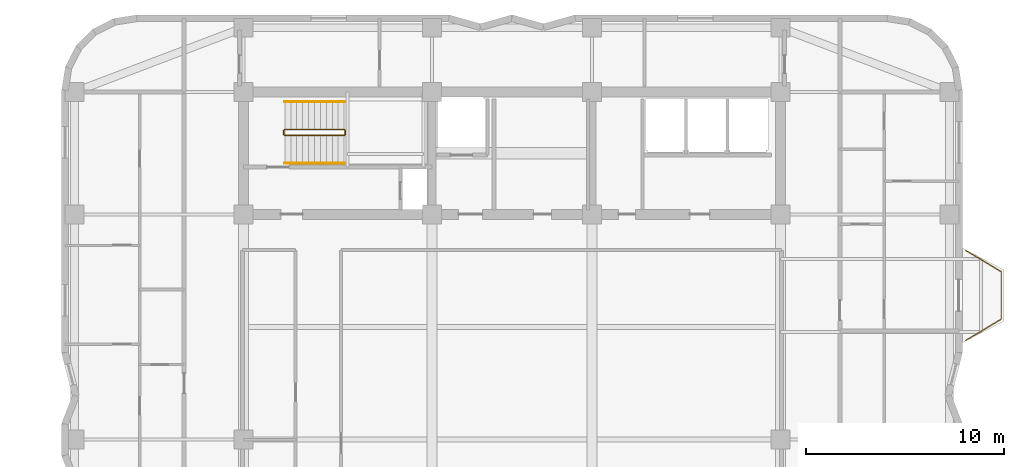
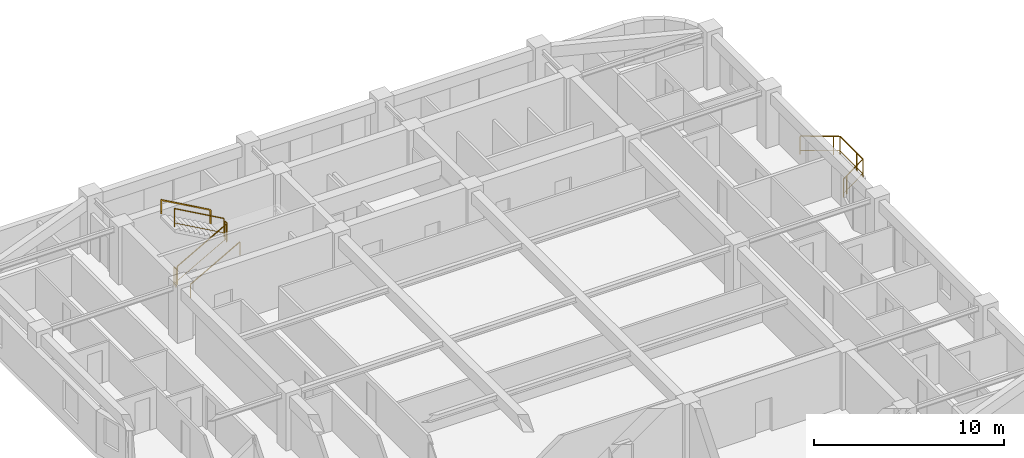
# One storey, part 8 of 8: 7 railings.
"""IFC4 building model written with IfcOpenShell, lengths in metres."""

from ifc_helpers import new_model, si_unit, direction, frame, origin, origin_2d, place, context, subcontext, project, spatial, rectangle, extrude, material, type_object, element, save


model = new_model("IFC4")

# Units and contexts
model_context = context("Model", 3, precision=1e-05, world=origin(), true_north=direction((0.0, 1.0)))
body_context = subcontext(model_context, "Body", "Model", "MODEL_VIEW")
ifc_project = project(units=[si_unit("LENGTHUNIT", "METRE"), si_unit("AREAUNIT", "SQUARE_METRE"), si_unit("VOLUMEUNIT", "CUBIC_METRE"), si_unit("PLANEANGLEUNIT", "RADIAN"), si_unit("MASSUNIT", "GRAM", prefix="KILO")], contexts=[model_context])

# Site, building, storey
site_placement = place(None, origin())
site = spatial("IfcSite", under=ifc_project, at=site_placement, CompositionType="ELEMENT")
building_placement = place(site_placement, origin())
building = spatial("IfcBuilding", under=site, at=building_placement, Name="Svetorya Sky Lyceum", CompositionType="ELEMENT")
storey_placement = place(building_placement, frame((0.0, 0.0, 151.5)))
storey = spatial("IfcBuildingStorey", under=building, at=storey_placement, Name="L37", CompositionType="ELEMENT", Elevation=151.5)

# Railings
ifc_material_1 = material(Name="Laminated safety glass and stainless AISI 316", Category="glass")
railing_type_1 = type_object("IfcRailingType", Name="RL-BAL-1200", PredefinedType="BALUSTRADE", material=ifc_material_1)
railing_1_placement = place(storey_placement, frame((62.169921875, 37.780029296875, 0.0)))
element("IfcRailing", 1, at=railing_1_placement, inside=storey, type_object=railing_type_1, Name="L37 Balcony Balustrade BAL-E1", PredefinedType="BALUSTRADE", context=body_context, shape_type="SweptSolid", body=[
    extrude(rectangle(XDim=0.048095703125, YDim=0.048095703125, at=origin_2d()), frame((0.0, 0.0, 1.17578125), z_axis=(0.857482663744, -0.514512858321, 0.0), x_axis=(0.514512858321, 0.857482663744, 0.0)), (0.0, 0.0, 1.0), 2.09912109375),
    extrude(rectangle(XDim=0.02392578125, YDim=0.02392578125, at=origin_2d()), frame((0.0, 0.0, 0.25), z_axis=(0.857482663744, -0.514512858321, 0.0), x_axis=(0.514512858321, 0.857482663744, 0.0)), (0.0, 0.0, 1.0), 2.09912109375),
    extrude(rectangle(XDim=0.048095703125, YDim=0.048095703125, at=origin_2d()), frame((1.800048828125, -1.080078125, 1.17578125), z_axis=(0.0, -1.0, 0.0), x_axis=(1.0, 0.0, 0.0)), (0.0, 0.0, 1.0), 2.39990234375),
    extrude(rectangle(XDim=0.02392578125, YDim=0.02392578125, at=origin_2d()), frame((1.800048828125, -1.080078125, 0.25), z_axis=(0.0, -1.0, 0.0), x_axis=(1.0, 0.0, 0.0)), (0.0, 0.0, 1.0), 2.39990234375),
    extrude(rectangle(XDim=0.048095703125, YDim=0.048095703125, at=origin_2d()), frame((1.800048828125, -3.47998046875, 1.17578125), z_axis=(-0.857482663744, -0.514512858321, 0.0), x_axis=(0.514512858321, -0.857482663744, 0.0)), (0.0, 0.0, 1.0), 2.09912109375),
    extrude(rectangle(XDim=0.02392578125, YDim=0.02392578125, at=origin_2d()), frame((1.800048828125, -3.47998046875, 0.25), z_axis=(-0.857482663744, -0.514512858321, 0.0), x_axis=(0.514512858321, -0.857482663744, 0.0)), (0.0, 0.0, 1.0), 2.09912109375),
    extrude(rectangle(XDim=0.0419921875, YDim=0.0419921875, at=origin_2d()), origin(), (0.0, 0.0, 1.0), 1.15185546875),
    extrude(rectangle(XDim=0.0419921875, YDim=0.0419921875, at=origin_2d()), frame((1.50048828125, -0.900390625, 0.0)), (0.0, 0.0, 1.0), 1.15185546875),
    extrude(rectangle(XDim=0.0419921875, YDim=0.0419921875, at=origin_2d()), frame((1.800048828125, -1.080078125, 0.0)), (0.0, 0.0, 1.0), 1.15185546875),
    extrude(rectangle(XDim=0.0419921875, YDim=0.0419921875, at=origin_2d()), frame((1.800048828125, -2.830078125, 0.0)), (0.0, 0.0, 1.0), 1.15185546875),
    extrude(rectangle(XDim=0.0419921875, YDim=0.0419921875, at=origin_2d()), frame((1.800048828125, -3.47998046875, 0.0)), (0.0, 0.0, 1.0), 1.15185546875),
    extrude(rectangle(XDim=0.0419921875, YDim=0.0419921875, at=origin_2d()), frame((0.299560546875, -4.38037109375, 0.0)), (0.0, 0.0, 1.0), 1.15185546875),
    extrude(rectangle(XDim=0.0419921875, YDim=0.0419921875, at=origin_2d()), frame((0.0, -4.56005859375, 0.0)), (0.0, 0.0, 1.0), 1.15185546875),
])
ifc_material_2 = material(Name="Painted galvanized stair well guard")
railing_type_2 = type_object("IfcRailingType", Name="RL-STR-GUARD-1200", PredefinedType="GUARDRAIL", material=ifc_material_2)
railing_2_placement = place(storey_placement, frame((27.699951171875, 43.60009765625, 0.168212890625)))
element("IfcRailing", 2, at=railing_2_placement, inside=storey, type_object=railing_type_2, Name="L37 ST-N stair guard 1", PredefinedType="GUARDRAIL", context=body_context, shape_type="SweptSolid", body=[
    extrude(rectangle(XDim=0.048095703125, YDim=0.048095703125, at=origin_2d()), frame((0.0, 0.0, 1.17578125), z_axis=(0.872272294576, 0.0, 0.489020494575), x_axis=(0.0, 1.0, 0.0)), (0.0, 0.0, 1.0), 3.439208984375),
    extrude(rectangle(XDim=0.02392578125, YDim=0.02392578125, at=origin_2d()), frame((0.0, 0.0, 0.25), z_axis=(0.872272294576, 0.0, 0.489020494575), x_axis=(0.0, 1.0, 0.0)), (0.0, 0.0, 1.0), 3.439208984375),
    extrude(rectangle(XDim=0.0419921875, YDim=0.0419921875, at=origin_2d()), origin(), (0.0, 0.0, 1.0), 1.15185546875),
    extrude(rectangle(XDim=0.0419921875, YDim=0.0419921875, at=origin_2d()), frame((3.0, 0.0, 1.681884765625)), (0.0, 0.0, 1.0), 1.15185546875),
])
railing_3_placement = place(storey_placement, frame((30.75, 43.64990234375, 1.85009765625)))
element("IfcRailing", 3, at=railing_3_placement, inside=storey, type_object=railing_type_2, Name="L37 ST-N stair guard 2", PredefinedType="GUARDRAIL", context=body_context, shape_type="SweptSolid", body=[
    extrude(rectangle(XDim=0.048095703125, YDim=0.048095703125, at=origin_2d()), frame((0.0, 0.0, 1.17578125), z_axis=(0.0, 1.0, 0.0), x_axis=(-1.0, 0.0, 0.0)), (0.0, 0.0, 1.0), 0.2001953125),
    extrude(rectangle(XDim=0.02392578125, YDim=0.02392578125, at=origin_2d()), frame((0.0, 0.0, 0.25), z_axis=(0.0, 1.0, 0.0), x_axis=(-1.0, 0.0, 0.0)), (0.0, 0.0, 1.0), 0.2001953125),
    extrude(rectangle(XDim=0.0419921875, YDim=0.0419921875, at=origin_2d()), origin(), (0.0, 0.0, 1.0), 1.15185546875),
    extrude(rectangle(XDim=0.0419921875, YDim=0.0419921875, at=origin_2d()), frame((0.0, 0.2001953125, 0.0)), (0.0, 0.0, 1.0), 1.15185546875),
])
railing_4_placement = place(storey_placement, frame((30.699951171875, 43.89990234375, 2.01806640625)))
element("IfcRailing", 4, at=railing_4_placement, inside=storey, type_object=railing_type_2, Name="L37 ST-N stair guard 3", PredefinedType="GUARDRAIL", context=body_context, shape_type="SweptSolid", body=[
    extrude(rectangle(XDim=0.048095703125, YDim=0.048095703125, at=origin_2d()), frame((0.0, 0.0, 1.17578125), z_axis=(-0.872272294576, 0.0, 0.489020494575), x_axis=(0.0, -1.0, 0.0)), (0.0, 0.0, 1.0), 3.439208984375),
    extrude(rectangle(XDim=0.02392578125, YDim=0.02392578125, at=origin_2d()), frame((0.0, 0.0, 0.25), z_axis=(-0.872272294576, 0.0, 0.489020494575), x_axis=(0.0, -1.0, 0.0)), (0.0, 0.0, 1.0), 3.439208984375),
    extrude(rectangle(XDim=0.0419921875, YDim=0.0419921875, at=origin_2d()), origin(), (0.0, 0.0, 1.0), 1.15185546875),
    extrude(rectangle(XDim=0.0419921875, YDim=0.0419921875, at=origin_2d()), frame((-3.0, 0.0, 1.681884765625)), (0.0, 0.0, 1.0), 1.15185546875),
])
railing_5_placement = place(storey_placement, frame((27.64990234375, 43.64990234375, 0.0)))
element("IfcRailing", 5, at=railing_5_placement, inside=storey, type_object=railing_type_2, Name="L37 ST-N stair guard 4", PredefinedType="GUARDRAIL", context=body_context, shape_type="SweptSolid", body=[
    extrude(rectangle(XDim=0.048095703125, YDim=0.048095703125, at=origin_2d()), frame((0.0, 0.0, 1.17578125), z_axis=(0.0, 1.0, 0.0), x_axis=(-1.0, 0.0, 0.0)), (0.0, 0.0, 1.0), 0.2001953125),
    extrude(rectangle(XDim=0.02392578125, YDim=0.02392578125, at=origin_2d()), frame((0.0, 0.0, 0.25), z_axis=(0.0, 1.0, 0.0), x_axis=(-1.0, 0.0, 0.0)), (0.0, 0.0, 1.0), 0.2001953125),
    extrude(rectangle(XDim=0.0419921875, YDim=0.0419921875, at=origin_2d()), origin(), (0.0, 0.0, 1.0), 1.15185546875),
    extrude(rectangle(XDim=0.0419921875, YDim=0.0419921875, at=origin_2d()), frame((0.0, 0.2001953125, 0.0)), (0.0, 0.0, 1.0), 1.15185546875),
])
ifc_material_3 = material(Name="Brushed stainless AISI 304 stair handrail")
railing_type_3 = type_object("IfcRailingType", Name="RL-STR-HAND-920", PredefinedType="HANDRAIL", material=ifc_material_3)
railing_6_placement = place(storey_placement, frame((27.699951171875, 42.199951171875, 0.168212890625)))
element("IfcRailing", 6, at=railing_6_placement, inside=storey, type_object=railing_type_3, Name="L37 ST-N stair handrail 1", PredefinedType="HANDRAIL", context=body_context, shape_type="SweptSolid", body=[
    extrude(rectangle(XDim=0.048095703125, YDim=0.048095703125, at=origin_2d()), frame((0.0, 0.0, 0.8759765625), z_axis=(0.872272294576, 0.0, 0.489020494575), x_axis=(0.0, 1.0, 0.0)), (0.0, 0.0, 1.0), 3.439208984375),
    extrude(rectangle(XDim=0.0419921875, YDim=0.0419921875, at=origin_2d()), origin(), (0.0, 0.0, 1.0), 0.851806640625),
    extrude(rectangle(XDim=0.0419921875, YDim=0.0419921875, at=origin_2d()), frame((3.0, 0.0, 1.681884765625)), (0.0, 0.0, 1.0), 0.851806640625),
])
railing_7_placement = place(storey_placement, frame((30.699951171875, 45.300048828125, 2.01806640625)))
element("IfcRailing", 7, at=railing_7_placement, inside=storey, type_object=railing_type_3, Name="L37 ST-N stair handrail 2", PredefinedType="HANDRAIL", context=body_context, shape_type="SweptSolid", body=[
    extrude(rectangle(XDim=0.048095703125, YDim=0.048095703125, at=origin_2d()), frame((0.0, 0.0, 0.8759765625), z_axis=(-0.872272294576, 0.0, 0.489020494575), x_axis=(0.0, -1.0, 0.0)), (0.0, 0.0, 1.0), 3.439208984375),
    extrude(rectangle(XDim=0.0419921875, YDim=0.0419921875, at=origin_2d()), origin(), (0.0, 0.0, 1.0), 0.851806640625),
    extrude(rectangle(XDim=0.0419921875, YDim=0.0419921875, at=origin_2d()), frame((-3.0, 0.0, 1.681884765625)), (0.0, 0.0, 1.0), 0.851806640625),
])

save(model, "model.ifc")
